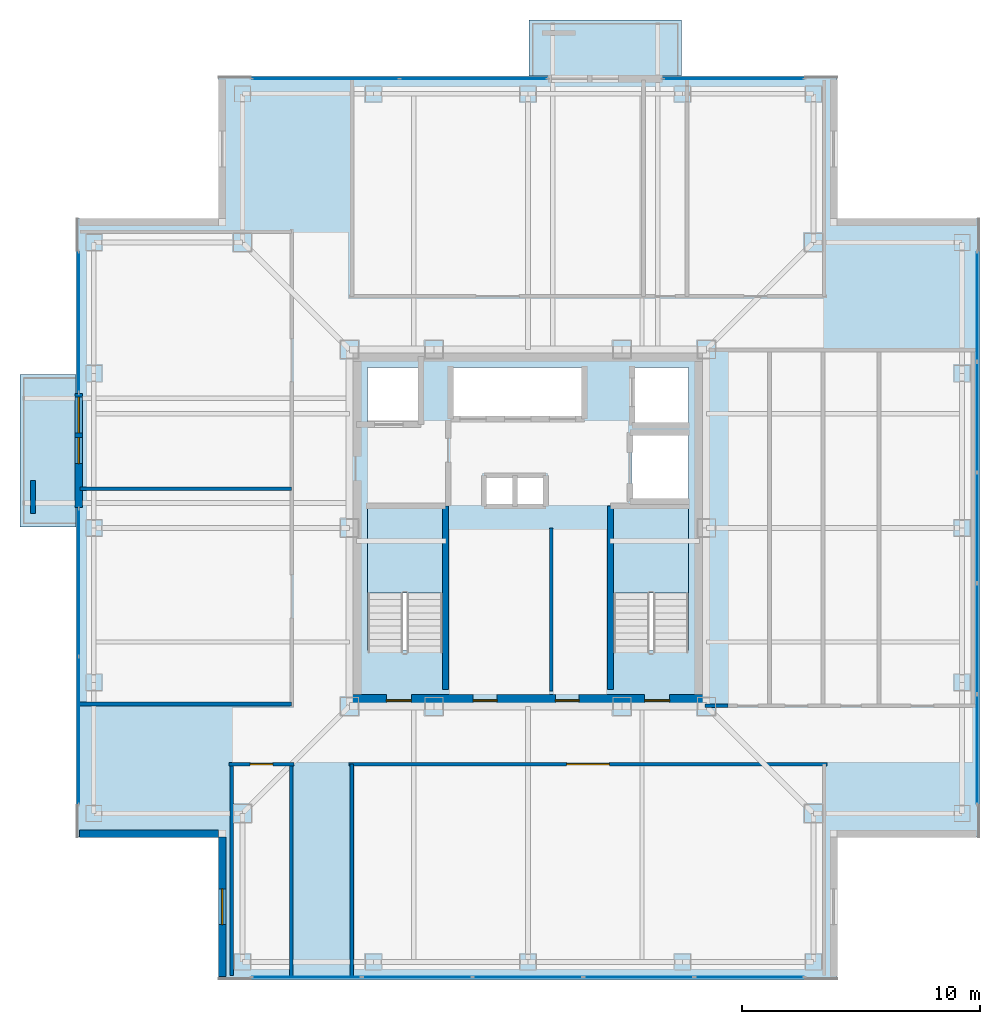
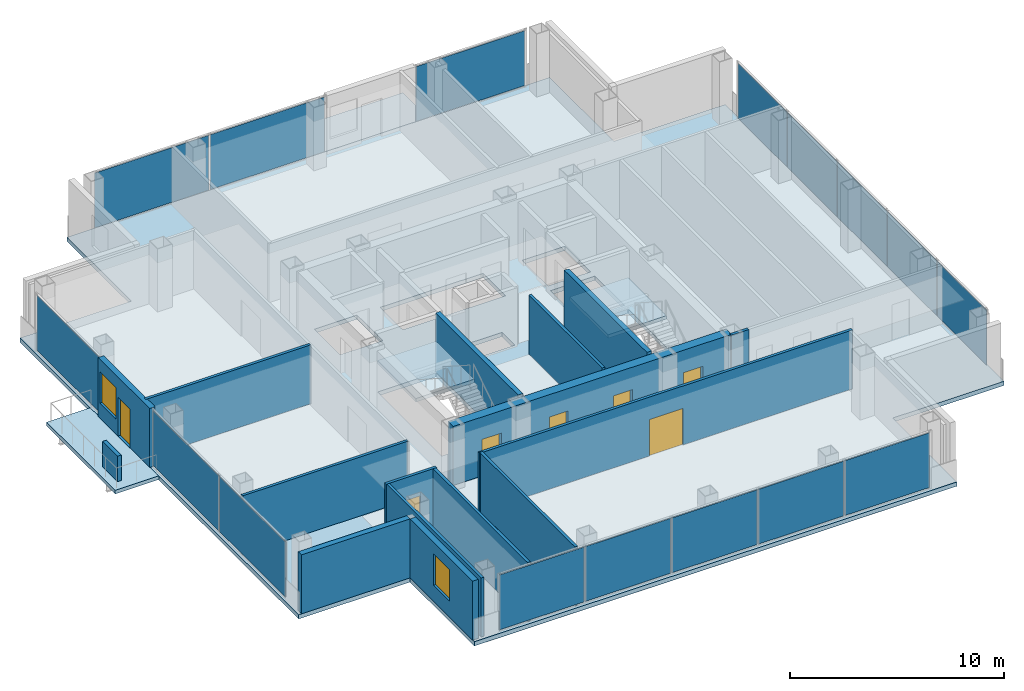
# One storey, part 8 of 13: 16 plates, 16 walls, 7 doors, 5 slabs, 2 windows, 9 openings, 8 elements without a shape of their own.
"""IFC4 building model written with IfcOpenShell, lengths in metres."""

import ifcopenshell
import ifcopenshell.guid

model = None  # the IFC model being written
_history = None  # IfcOwnerHistory: only IFC2X3 demands one
_inside = {}  # id of a spatial element -> (the spatial element, [elements in it])
_under = {}  # id of a project, library or spatial element -> (it, [spatial elements below it])
_declared = {}  # id of a project -> (the project, [libraries it declares])
_typed = {}  # id of a type object -> (the type object, [elements of that type])
_made_of = {}  # id of a material, layer set ... -> (it, [elements and type objects made of it])


def new_model(schema):
    """Start an empty IFC model of exactly this schema.

    Asked for "IFC4X3", IfcOpenShell would pick the latest addendum, in which some entities
    have other attributes; the version numbers below select the first issue.
    IFC2X3 requires an IfcOwnerHistory on every rooted entity: one is made here for all.
    """
    global model, _history
    if schema == "IFC4X3":
        model = ifcopenshell.file(schema_version=(4, 3, 0, 0))
    else:
        model = ifcopenshell.file(schema=schema)
    _inside.clear()
    _under.clear()
    _declared.clear()
    _typed.clear()
    _made_of.clear()
    _history = None
    if model.schema == "IFC2X3":
        org = make("IfcOrganization", Name="unknown")
        user = make(
            "IfcPersonAndOrganization",
            ThePerson=make("IfcPerson", FamilyName="unknown"),
            TheOrganization=org,
        )
        app = make(
            "IfcApplication",
            ApplicationDeveloper=org,
            Version="unknown",
            ApplicationFullName="unknown",
            ApplicationIdentifier="unknown",
        )
        _history = make(
            "IfcOwnerHistory",
            OwningUser=user,
            OwningApplication=app,
            ChangeAction="ADDED",
            CreationDate=0,
        )
    return model


def make(cls, **values):
    """One entity of the class cls with the attributes given. An attribute that is None is left unset."""
    return model.create_entity(
        cls, **{name: value for name, value in values.items() if value is not None}
    )


def rooted(cls, **values):
    """An entity with a GlobalId (a new one), such as an element, a storey or a relation."""
    return make(cls, GlobalId=ifcopenshell.guid.new(), OwnerHistory=_history, **values)


def si_unit(unit_type, name, prefix=None):
    """IfcSIUnit, for example si_unit("LENGTHUNIT", "METRE", prefix="MILLI")."""
    return make("IfcSIUnit", UnitType=unit_type, Prefix=prefix, Name=name)


def assignment(units):
    """IfcUnitAssignment: the units of a project."""
    return None if units is None else make("IfcUnitAssignment", Units=units)


def point(xyz):
    """IfcCartesianPoint."""
    return None if xyz is None else make("IfcCartesianPoint", Coordinates=xyz)


def direction(xyz):
    """IfcDirection."""
    return None if xyz is None else make("IfcDirection", DirectionRatios=xyz)


def frame(location, z_axis=None, x_axis=None):
    """IfcAxis2Placement3D, a coordinate frame: its origin and axes. An axis left out is left unset."""
    return make(
        "IfcAxis2Placement3D",
        Location=point(location),
        Axis=direction(z_axis),
        RefDirection=direction(x_axis),
    )


def frame_2d(location, x_axis=None):
    """IfcAxis2Placement2D, a coordinate frame in the plane: its origin and x axis."""
    return make(
        "IfcAxis2Placement2D", Location=point(location), RefDirection=direction(x_axis)
    )


def origin():
    """The frame at (0, 0, 0) with its axes left unset."""
    return frame((0.0, 0.0, 0.0))


def origin_2d():
    """The frame at (0, 0) in the plane with its x axis left unset."""
    return frame_2d((0.0, 0.0))


def place(relative_to, where):
    """IfcLocalPlacement: puts the frame where relative to a parent placement (None: the world)."""
    return make(
        "IfcLocalPlacement", PlacementRelTo=relative_to, RelativePlacement=where
    )


def context(
    kind, dimensions, precision=None, world=None, true_north=None, identifier=None
):
    """IfcGeometricRepresentationContext, for example the 3D "Model" context."""
    return make(
        "IfcGeometricRepresentationContext",
        ContextIdentifier=identifier,
        ContextType=kind,
        CoordinateSpaceDimension=dimensions,
        Precision=precision,
        WorldCoordinateSystem=world,
        TrueNorth=true_north,
    )


def subcontext(parent, identifier, kind, view, scale=None):
    """IfcGeometricRepresentationSubContext, for example "Body" below "Model"."""
    return make(
        "IfcGeometricRepresentationSubContext",
        ContextIdentifier=identifier,
        ContextType=kind,
        ParentContext=parent,
        TargetScale=scale,
        TargetView=view,
    )


def project(units=None, contexts=None):
    """IfcProject with its units and contexts."""
    return rooted(
        "IfcProject",
        Name="project",
        RepresentationContexts=contexts,
        UnitsInContext=assignment(units),
    )


def spatial(cls, under=None, at=None, **own):
    """A site, building, storey or space (cls), placed at a placement, below another one or the project."""
    s = rooted(cls, ObjectPlacement=at, **own)
    if under is not None:
        _under.setdefault(under.id(), (under, []))[1].append(s)
    return s


def polyline(points):
    """IfcPolyline through the points."""
    return make("IfcPolyline", Points=[point(p) for p in points])


def profile(cls, at=None, kind="AREA", **sizes):
    """A parametric profile (cls). Its sizes go by their IFC names, for example OverallWidth=200.0."""
    return make(cls, ProfileType=kind, Position=at, **sizes)


def rectangle(**sizes):
    """IfcRectangleProfileDef."""
    return profile("IfcRectangleProfileDef", **sizes)


def outline(outer, holes=None, kind="AREA"):
    """IfcArbitraryClosedProfileDef: a profile drawn as a closed curve; with holes, ...WithVoids."""
    if holes is None:
        return make("IfcArbitraryClosedProfileDef", ProfileType=kind, OuterCurve=outer)
    return make(
        "IfcArbitraryProfileDefWithVoids",
        ProfileType=kind,
        OuterCurve=outer,
        InnerCurves=holes,
    )


def extrude(swept, where, along, depth):
    """IfcExtrudedAreaSolid: the profile swept, set in the frame where, extruded along a direction by depth."""
    return make(
        "IfcExtrudedAreaSolid",
        SweptArea=swept,
        Position=where,
        ExtrudedDirection=direction(along),
        Depth=depth,
    )


def shape(context_of_items, identifier, shape_type, items):
    """IfcShapeRepresentation: the items that make up one representation, for example the "Body"."""
    return make(
        "IfcShapeRepresentation",
        ContextOfItems=context_of_items,
        RepresentationIdentifier=identifier,
        RepresentationType=shape_type,
        Items=items,
    )


def material(Name=None, Category=None):
    """IfcMaterial."""
    return make("IfcMaterial", Name=Name, Category=Category)


def layer(
    of_material, thickness, ventilated=None, Name=None, Category=None, Priority=None
):
    """IfcMaterialLayer: one layer of a wall or slab, of a material (None: an air gap)."""
    return make(
        "IfcMaterialLayer",
        Material=of_material,
        LayerThickness=thickness,
        IsVentilated=ventilated,
        Name=Name,
        Category=Category,
        Priority=Priority,
    )


def layer_set(layers, Name=None):
    """IfcMaterialLayerSet."""
    return make("IfcMaterialLayerSet", MaterialLayers=layers, LayerSetName=Name)


def made_of(thing, what):
    """Note that an element or type object is made of a material, layer set ...; save() writes the relation."""
    if what is not None:
        _made_of.setdefault(what.id(), (what, []))[1].append(thing)
    return thing


def type_object(cls, material=None, **own):
    """A type object (cls), such as IfcWallType, which elements share."""
    return made_of(rooted(cls, **own), material)


def element(
    cls,
    number,
    at=None,
    inside=None,
    cuts=None,
    type_object=None,
    material=None,
    context=None,
    identifier="Body",
    shape_type=None,
    held_by="IfcProductDefinitionShape",
    body=None,
    shapes=None,
    **own,
):
    """One element of the class cls, such as IfcWall. Its Tag is "e" and its number.

    at: its placement. inside: the storey or other place that contains it. cuts: it is an
    opening in that element (IfcRelVoidsElement). A single representation is given by context,
    identifier, shape_type and body (its items); several are given by shapes. held_by: the class
    of the entity that holds the representations. save() writes the other relations.
    """
    e = rooted(cls, Tag="e%d" % number, ObjectPlacement=at, **own)
    if body is not None:
        shapes = [shape(context, identifier, shape_type, body)]
    if shapes is not None:
        e.Representation = make(held_by, Representations=shapes)
    if inside is not None:
        _inside.setdefault(inside.id(), (inside, []))[1].append(e)
    if cuts is not None:
        rooted(
            "IfcRelVoidsElement", RelatingBuildingElement=cuts, RelatedOpeningElement=e
        )
    if type_object is not None:
        _typed.setdefault(type_object.id(), (type_object, []))[1].append(e)
    return made_of(e, material)


def fill(opening, filler):
    """IfcRelFillsElement: the door or window that sits in an opening."""
    return rooted(
        "IfcRelFillsElement",
        RelatingOpeningElement=opening,
        RelatedBuildingElement=filler,
    )


def aggregate(whole, parts):
    """IfcRelAggregates: a whole, such as a stair, and the parts it consists of."""
    return rooted("IfcRelAggregates", RelatingObject=whole, RelatedObjects=parts)


def save(model, path):
    """Write the relations noted so far, then the file.

    IfcRelAggregates (storeys below a building ...), IfcRelContainedInSpatialStructure (elements
    in a storey), IfcRelDefinesByType, IfcRelAssociatesMaterial and IfcRelDeclares: one each for
    every whole, place, type object, material and project.
    """
    for whole, parts in _under.values():
        aggregate(whole, parts)
    for where, things in _inside.values():
        rooted(
            "IfcRelContainedInSpatialStructure",
            RelatedElements=things,
            RelatingStructure=where,
        )
    for kind, things in _typed.values():
        rooted("IfcRelDefinesByType", RelatedObjects=things, RelatingType=kind)
    for what, things in _made_of.values():
        rooted("IfcRelAssociatesMaterial", RelatedObjects=things, RelatingMaterial=what)
    for by, libraries in _declared.values():
        rooted("IfcRelDeclares", RelatingContext=by, RelatedDefinitions=libraries)
    model.write(path)


model = new_model("IFC4")

# Units and contexts
model_context = context("Model", 3, precision=1e-05, world=origin(), true_north=direction((0.0, 1.0)))
body_context = subcontext(model_context, "Body", "Model", "MODEL_VIEW")
ifc_project = project(units=[si_unit("LENGTHUNIT", "METRE"), si_unit("AREAUNIT", "SQUARE_METRE"), si_unit("VOLUMEUNIT", "CUBIC_METRE"), si_unit("PLANEANGLEUNIT", "RADIAN"), si_unit("MASSUNIT", "GRAM", prefix="KILO")], contexts=[model_context])

# Site, building, storey
site_placement = place(None, origin())
site = spatial("IfcSite", under=ifc_project, at=site_placement, CompositionType="ELEMENT")
building_placement = place(site_placement, origin())
building = spatial("IfcBuilding", under=site, at=building_placement, Name="Trevonay Congress Spire", CompositionType="ELEMENT")
storey_placement = place(building_placement, frame((0.0, 0.0, 254.0)))
storey = spatial("IfcBuildingStorey", under=building, at=storey_placement, Name="L66", CompositionType="ELEMENT", Elevation=254.0)

# Curtain wall, plates
ifc_material_1 = material(Name="Pale Anodised Aluminium EN AW-6063-T6", Category="aluminium")
ifc_layer_1 = layer(ifc_material_1, 0.1650390625, Name="Pale Anodised Aluminium EN AW-6063-T6")
ifc_layer_set_1 = layer_set([ifc_layer_1], Name="Pale Anodised Aluminium EN AW-6063-T6")
curtain_wall_type = type_object("IfcCurtainWallType", Name="CW-SYS05-DIPLOM-PALE-METAL", PredefinedType="NOTDEFINED", material=ifc_layer_set_1)
curtain_wall_1_placement = place(storey_placement, origin())
curtain_wall_1 = element("IfcCurtainWall", 1, at=curtain_wall_1_placement, inside=storey, type_object=curtain_wall_type, Name="L66 S unitised curtain wall", PredefinedType="NOTDEFINED")
ifc_material_2 = material(Name="Insulated Low-E Vision Glass IGU", Category="glass")
ifc_layer_2 = layer(ifc_material_2, 0.035888671875, Name="Insulated Low-E Vision Glass IGU")
ifc_layer_set_2 = layer_set([ifc_layer_2], Name="Insulated Low-E Vision Glass IGU")
plate_type = type_object("IfcPlateType", Name="CW-PANEL-IGU36-SILVER", PredefinedType="CURTAIN_PANEL", material=ifc_layer_set_2)
plate_1_placement = place(storey_placement, frame((-9.304931640625, -18.8798828125, 0.119873046875), z_axis=(0.0, 0.0, 1.0), x_axis=(1.0, 0.0, 0.0)))
plate_1 = element("IfcPlate", 2, at=plate_1_placement, type_object=plate_type, Name="CW05 panel 1.1", PredefinedType="CURTAIN_PANEL", context=body_context, shape_type="SweptSolid", body=[
    extrude(rectangle(XDim=4.570068359375, YDim=0.035888671875, at=origin_2d()), origin(), (0.0, 0.0, 1.0), 3.1201171875),
])
plate_2_placement = place(storey_placement, frame((-4.659912109375, -18.8798828125, 0.119873046875), z_axis=(0.0, 0.0, 1.0), x_axis=(1.0, 0.0, 0.0)))
plate_2 = element("IfcPlate", 3, at=plate_2_placement, type_object=plate_type, Name="CW05 panel 2.1", PredefinedType="CURTAIN_PANEL", context=body_context, shape_type="SweptSolid", body=[
    extrude(rectangle(XDim=4.60009765625, YDim=0.035888671875, at=origin_2d()), origin(), (0.0, 0.0, 1.0), 3.1201171875),
])
plate_3_placement = place(storey_placement, frame((0.0, -18.8798828125, 0.119873046875), z_axis=(0.0, 0.0, 1.0), x_axis=(1.0, 0.0, 0.0)))
plate_3 = element("IfcPlate", 4, at=plate_3_placement, type_object=plate_type, Name="CW05 panel 3.1", PredefinedType="CURTAIN_PANEL", context=body_context, shape_type="SweptSolid", body=[
    extrude(rectangle(XDim=4.60009765625, YDim=0.035888671875, at=origin_2d()), origin(), (0.0, 0.0, 1.0), 3.1201171875),
])
plate_4_placement = place(storey_placement, frame((4.659912109375, -18.8798828125, 0.119873046875), z_axis=(0.0, 0.0, 1.0), x_axis=(1.0, 0.0, 0.0)))
plate_4 = element("IfcPlate", 5, at=plate_4_placement, type_object=plate_type, Name="CW05 panel 4.1", PredefinedType="CURTAIN_PANEL", context=body_context, shape_type="SweptSolid", body=[
    extrude(rectangle(XDim=4.60009765625, YDim=0.035888671875, at=origin_2d()), origin(), (0.0, 0.0, 1.0), 3.1201171875),
])
plate_5_placement = place(storey_placement, frame((9.304931640625, -18.8798828125, 0.119873046875), z_axis=(0.0, 0.0, 1.0), x_axis=(1.0, 0.0, 0.0)))
plate_5 = element("IfcPlate", 6, at=plate_5_placement, type_object=plate_type, Name="CW05 panel 5.1", PredefinedType="CURTAIN_PANEL", context=body_context, shape_type="SweptSolid", body=[
    extrude(rectangle(XDim=4.570068359375, YDim=0.035888671875, at=origin_2d()), origin(), (0.0, 0.0, 1.0), 3.1201171875),
])
aggregate(curtain_wall_1, [plate_1, plate_2, plate_3, plate_4, plate_5])

curtain_wall_2_placement = place(storey_placement, origin())
curtain_wall_2 = element("IfcCurtainWall", 7, at=curtain_wall_2_placement, inside=storey, type_object=curtain_wall_type, Name="L66 NA unitised curtain wall", PredefinedType="NOTDEFINED")
plate_6_placement = place(storey_placement, frame((-8.510009765625, 18.8798828125, 0.119873046875), z_axis=(0.0, 0.0, 1.0), x_axis=(1.0, 0.0, 0.0)))
plate_6 = element("IfcPlate", 8, at=plate_6_placement, type_object=plate_type, Name="CW05 panel 1.1", PredefinedType="CURTAIN_PANEL", context=body_context, shape_type="SweptSolid", body=[
    extrude(rectangle(XDim=6.159912109375, YDim=0.035888671875, at=origin_2d()), origin(), (0.0, 0.0, 1.0), 3.1201171875),
])
plate_7_placement = place(storey_placement, frame((-2.2900390625, 18.8798828125, 0.119873046875), z_axis=(0.0, 0.0, 1.0), x_axis=(1.0, 0.0, 0.0)))
plate_7 = element("IfcPlate", 9, at=plate_7_placement, type_object=plate_type, Name="CW05 panel 2.1", PredefinedType="CURTAIN_PANEL", context=body_context, shape_type="SweptSolid", body=[
    extrude(rectangle(XDim=6.159912109375, YDim=0.035888671875, at=origin_2d()), origin(), (0.0, 0.0, 1.0), 3.1201171875),
])
aggregate(curtain_wall_2, [plate_6, plate_7])

# Curtain wall, plate
curtain_wall_3_placement = place(storey_placement, origin())
curtain_wall_3 = element("IfcCurtainWall", 10, at=curtain_wall_3_placement, inside=storey, type_object=curtain_wall_type, Name="L66 NB unitised curtain wall", PredefinedType="NOTDEFINED")
plate_8_placement = place(storey_placement, frame((8.64990234375, 18.8798828125, 0.119873046875), z_axis=(0.0, 0.0, 1.0), x_axis=(1.0, 0.0, 0.0)))
plate_8 = element("IfcPlate", 11, at=plate_8_placement, type_object=plate_type, Name="CW05 panel 1.1", PredefinedType="CURTAIN_PANEL", context=body_context, shape_type="SweptSolid", body=[
    extrude(rectangle(XDim=5.8798828125, YDim=0.035888671875, at=origin_2d()), origin(), (0.0, 0.0, 1.0), 3.1201171875),
])
aggregate(curtain_wall_3, [plate_8])

# Curtain wall, plates
curtain_wall_4_placement = place(storey_placement, origin())
curtain_wall_4 = element("IfcCurtainWall", 12, at=curtain_wall_4_placement, inside=storey, type_object=curtain_wall_type, Name="L66 WA unitised curtain wall", PredefinedType="NOTDEFINED")
plate_9_placement = place(storey_placement, frame((-18.8798828125, -8.510009765625, 0.119873046875), z_axis=(0.0, 0.0, 1.0), x_axis=(0.0, 1.0, 0.0)))
plate_9 = element("IfcPlate", 13, at=plate_9_placement, type_object=plate_type, Name="CW05 panel 1.1", PredefinedType="CURTAIN_PANEL", context=body_context, shape_type="SweptSolid", body=[
    extrude(rectangle(XDim=6.159912109375, YDim=0.035888671875, at=origin_2d()), origin(), (0.0, 0.0, 1.0), 3.1201171875),
])
plate_10_placement = place(storey_placement, frame((-18.8798828125, -2.2900390625, 0.119873046875), z_axis=(0.0, 0.0, 1.0), x_axis=(0.0, 1.0, 0.0)))
plate_10 = element("IfcPlate", 14, at=plate_10_placement, type_object=plate_type, Name="CW05 panel 2.1", PredefinedType="CURTAIN_PANEL", context=body_context, shape_type="SweptSolid", body=[
    extrude(rectangle(XDim=6.159912109375, YDim=0.035888671875, at=origin_2d()), origin(), (0.0, 0.0, 1.0), 3.1201171875),
])
aggregate(curtain_wall_4, [plate_9, plate_10])

# Curtain wall, plate
curtain_wall_5_placement = place(storey_placement, origin())
curtain_wall_5 = element("IfcCurtainWall", 15, at=curtain_wall_5_placement, inside=storey, type_object=curtain_wall_type, Name="L66 WB unitised curtain wall", PredefinedType="NOTDEFINED")
plate_11_placement = place(storey_placement, frame((-18.8798828125, 8.64990234375, 0.119873046875), z_axis=(0.0, 0.0, 1.0), x_axis=(0.0, 1.0, 0.0)))
plate_11 = element("IfcPlate", 16, at=plate_11_placement, type_object=plate_type, Name="CW05 panel 1.1", PredefinedType="CURTAIN_PANEL", context=body_context, shape_type="SweptSolid", body=[
    extrude(rectangle(XDim=5.8798828125, YDim=0.035888671875, at=origin_2d()), origin(), (0.0, 0.0, 1.0), 3.1201171875),
])
aggregate(curtain_wall_5, [plate_11])

# Curtain wall, plates
curtain_wall_6_placement = place(storey_placement, origin())
curtain_wall_6 = element("IfcCurtainWall", 17, at=curtain_wall_6_placement, inside=storey, type_object=curtain_wall_type, Name="L66 E unitised curtain wall", PredefinedType="NOTDEFINED")
plate_12_placement = place(storey_placement, frame((18.8798828125, -9.304931640625, 0.119873046875), z_axis=(0.0, 0.0, 1.0), x_axis=(0.0, 1.0, 0.0)))
plate_12 = element("IfcPlate", 18, at=plate_12_placement, type_object=plate_type, Name="CW05 panel 1.1", PredefinedType="CURTAIN_PANEL", context=body_context, shape_type="SweptSolid", body=[
    extrude(rectangle(XDim=4.570068359375, YDim=0.035888671875, at=origin_2d()), origin(), (0.0, 0.0, 1.0), 3.1201171875),
])
plate_13_placement = place(storey_placement, frame((18.8798828125, -4.659912109375, 0.119873046875), z_axis=(0.0, 0.0, 1.0), x_axis=(0.0, 1.0, 0.0)))
plate_13 = element("IfcPlate", 19, at=plate_13_placement, type_object=plate_type, Name="CW05 panel 2.1", PredefinedType="CURTAIN_PANEL", context=body_context, shape_type="SweptSolid", body=[
    extrude(rectangle(XDim=4.60009765625, YDim=0.035888671875, at=origin_2d()), origin(), (0.0, 0.0, 1.0), 3.1201171875),
])
plate_14_placement = place(storey_placement, frame((18.8798828125, 0.0, 0.119873046875), z_axis=(0.0, 0.0, 1.0), x_axis=(0.0, 1.0, 0.0)))
plate_14 = element("IfcPlate", 20, at=plate_14_placement, type_object=plate_type, Name="CW05 panel 3.1", PredefinedType="CURTAIN_PANEL", context=body_context, shape_type="SweptSolid", body=[
    extrude(rectangle(XDim=4.60009765625, YDim=0.035888671875, at=origin_2d()), origin(), (0.0, 0.0, 1.0), 3.1201171875),
])
plate_15_placement = place(storey_placement, frame((18.8798828125, 4.659912109375, 0.119873046875), z_axis=(0.0, 0.0, 1.0), x_axis=(0.0, 1.0, 0.0)))
plate_15 = element("IfcPlate", 21, at=plate_15_placement, type_object=plate_type, Name="CW05 panel 4.1", PredefinedType="CURTAIN_PANEL", context=body_context, shape_type="SweptSolid", body=[
    extrude(rectangle(XDim=4.60009765625, YDim=0.035888671875, at=origin_2d()), origin(), (0.0, 0.0, 1.0), 3.1201171875),
])
plate_16_placement = place(storey_placement, frame((18.8798828125, 9.304931640625, 0.119873046875), z_axis=(0.0, 0.0, 1.0), x_axis=(0.0, 1.0, 0.0)))
plate_16 = element("IfcPlate", 22, at=plate_16_placement, type_object=plate_type, Name="CW05 panel 5.1", PredefinedType="CURTAIN_PANEL", context=body_context, shape_type="SweptSolid", body=[
    extrude(rectangle(XDim=4.570068359375, YDim=0.035888671875, at=origin_2d()), origin(), (0.0, 0.0, 1.0), 3.1201171875),
])
aggregate(curtain_wall_6, [plate_12, plate_13, plate_14, plate_15, plate_16])

# Stair, slab
ifc_material_3 = material(Name="Concrete C40/50", Category="concrete")
stair_type_1 = type_object("IfcStairType", Name="STR-ST-1", PredefinedType="HALF_TURN_STAIR", material=ifc_material_3)
stair_1_placement = place(storey_placement, origin())
stair_1 = element("IfcStair", 23, at=stair_1_placement, inside=storey, type_object=stair_type_1, Name="L66 Protected Exit Stair ST-1", PredefinedType="HALF_TURN_STAIR")
ifc_layer_3 = layer(ifc_material_3, 0.199951171875, Name="Concrete C40/50")
ifc_layer_set_3 = layer_set([ifc_layer_3], Name="Concrete C40/50")
slab_type_1 = type_object("IfcSlabType", Name="SLB-STAIR-LAND-200", PredefinedType="LANDING", material=ifc_layer_set_3)
slab_1_placement = place(storey_placement, frame((0.0, 0.0, 1.60009765625)))
slab_1 = element("IfcSlab", 24, at=slab_1_placement, type_object=slab_type_1, Name="ST-1 landing 1", PredefinedType="LANDING", context=body_context, shape_type="SweptSolid", body=[
    extrude(outline(polyline([(-3.60009765625, -2.72998046875), (-3.60009765625, 0.85009765625), (-6.75, 0.85009765625), (-6.75, -2.72998046875), (-3.60009765625, -2.72998046875)])), origin(), (0.0, 0.0, 1.0), 0.199951171875),
])
aggregate(stair_1, [slab_1])

stair_type_2 = type_object("IfcStairType", Name="STR-ST-2", PredefinedType="HALF_TURN_STAIR", material=ifc_material_3)
stair_2_placement = place(storey_placement, origin())
stair_2 = element("IfcStair", 25, at=stair_2_placement, inside=storey, type_object=stair_type_2, Name="L66 Protected Exit Stair ST-2", PredefinedType="HALF_TURN_STAIR")
slab_2_placement = place(storey_placement, frame((0.0, 0.0, 1.60009765625)))
slab_2 = element("IfcSlab", 26, at=slab_2_placement, type_object=slab_type_1, Name="ST-2 landing 1", PredefinedType="LANDING", context=body_context, shape_type="SweptSolid", body=[
    extrude(outline(polyline([(6.75, -2.72998046875), (6.75, 0.85009765625), (3.60009765625, 0.85009765625), (3.60009765625, -2.72998046875), (6.75, -2.72998046875)])), origin(), (0.0, 0.0, 1.0), 0.199951171875),
])
aggregate(stair_2, [slab_2])

# Slabs
ifc_layer_4 = layer(ifc_material_3, 0.239990234375, Name="Concrete C40/50")
ifc_layer_set_4 = layer_set([ifc_layer_4], Name="Concrete C40/50")
slab_type_2 = type_object("IfcSlabType", Name="SLB-TOW2-240", PredefinedType="FLOOR", material=ifc_layer_set_4)
slab_3_placement = place(storey_placement, frame((0.0, 0.0, -0.239990234375)))
element("IfcSlab", 27, at=slab_3_placement, inside=storey, type_object=slab_type_2, Name="L66 structural floor slab", PredefinedType="FLOOR", context=body_context, shape_type="SweptSolid", body=[
    extrude(outline(polyline([(-13.0, -19.0), (13.0, -19.0), (13.0, -13.0), (19.0, -13.0), (19.0, 13.0), (13.0, 13.0), (13.0, 19.0), (-13.0, 19.0), (-13.0, 13.0), (-19.0, 13.0), (-19.0, -13.0), (-13.0, -13.0), (-13.0, -19.0)]), holes=[polyline([(-3.60009765625, -5.14990234375), (-3.60009765625, 0.85009765625), (-6.75, 0.85009765625), (-6.75, -5.14990234375), (-3.60009765625, -5.14990234375)]), polyline([(6.75, -5.14990234375), (6.75, 0.85009765625), (3.60009765625, 0.85009765625), (3.60009765625, -5.14990234375), (6.75, -5.14990234375)]), polyline([(-3.199951171875, 4.64990234375), (2.340087890625, 4.64990234375), (2.340087890625, 6.75), (-3.199951171875, 6.75), (-3.199951171875, 4.64990234375)]), polyline([(-6.75, 4.35009765625), (-4.449951171875, 4.35009765625), (-4.449951171875, 6.75), (-6.75, 6.75), (-6.75, 4.35009765625)]), polyline([(4.449951171875, 4.35009765625), (6.75, 4.35009765625), (6.75, 6.75), (4.449951171875, 6.75), (4.449951171875, 4.35009765625)]), polyline([(4.35009765625, 1.199951171875), (6.75, 1.199951171875), (6.75, 3.949951171875), (4.35009765625, 3.949951171875), (4.35009765625, 1.199951171875)]), polyline([(-1.800048828125, 0.949951171875), (0.699951171875, 0.949951171875), (0.699951171875, 2.14990234375), (-1.800048828125, 2.14990234375), (-1.800048828125, 0.949951171875)])]), origin(), (0.0, 0.0, 1.0), 0.239990234375),
])
ifc_layer_5 = layer(ifc_material_3, 0.2099609375, Name="Concrete C40/50")
ifc_layer_set_5 = layer_set([ifc_layer_5], Name="Concrete C40/50")
slab_type_3 = type_object("IfcSlabType", Name="SLB-TREEBAL-210", PredefinedType="FLOOR", material=ifc_layer_set_5)
slab_4_placement = place(storey_placement, frame((0.0, 0.0, -0.2099609375)))
element("IfcSlab", 28, at=slab_4_placement, inside=storey, type_object=slab_type_3, Name="L66 cantilevered tree-planter balcony pod N", PredefinedType="FLOOR", context=body_context, shape_type="SweptSolid", body=[
    extrude(outline(polyline([(0.050048828125, 19.0), (6.449951171875, 19.0), (6.449951171875, 21.35009765625), (0.050048828125, 21.35009765625), (0.050048828125, 19.0)])), origin(), (0.0, 0.0, 1.0), 0.2099609375),
])
slab_5_placement = place(storey_placement, frame((0.0, 0.0, -0.2099609375)))
element("IfcSlab", 29, at=slab_5_placement, inside=storey, type_object=slab_type_3, Name="L66 cantilevered tree-planter balcony pod W", PredefinedType="FLOOR", context=body_context, shape_type="SweptSolid", body=[
    extrude(outline(polyline([(-21.35009765625, 0.050048828125), (-19.0, 0.050048828125), (-19.0, 6.449951171875), (-21.35009765625, 6.449951171875), (-21.35009765625, 0.050048828125)])), origin(), (0.0, 0.0, 1.0), 0.2099609375),
])

# Wall, openings, doors
ifc_material_4 = material(Name="Concrete C50/60", Category="concrete")
ifc_layer_6 = layer(ifc_material_4, 0.5, Name="Concrete C50/60")
ifc_layer_set_6 = layer_set([ifc_layer_6], Name="Concrete C50/60")
wall_type_1 = type_object("IfcWallType", Name="WAL-CORE-500", PredefinedType="SHEAR", material=ifc_layer_set_6)
wall_1_placement = place(storey_placement, frame((-7.5, -7.25, 0.0), z_axis=(0.0, 0.0, 1.0), x_axis=(1.0, 0.0, 0.0)))
wall_1 = element("IfcWall", 30, at=wall_1_placement, inside=storey, type_object=wall_type_1, Name="L66 South structural core shear wall", PredefinedType="SHEAR", context=body_context, shape_type="SweptSolid", body=[
    extrude(rectangle(XDim=15.0, YDim=0.5, at=frame_2d((7.5, 0.0))), origin(), (0.0, 0.0, 1.0), 3.360107421875),
])
opening_1_placement = place(wall_1_placement, frame((1.550048828125, 0.0, 0.0)))
opening_1 = element("IfcOpeningElement", 31, at=opening_1_placement, cuts=wall_1, Name="Opening D05", PredefinedType="OPENING", context=body_context, shape_type="SweptSolid", body=[
    extrude(rectangle(XDim=1.050048828125, YDim=2.080078125, at=frame_2d((0.52490234375, 1.0400390625))), frame((0.0, 0.260009765625, 0.0), z_axis=(0.0, -1.0, 0.0), x_axis=(1.0, 0.0, 0.0)), (0.0, 0.0, 1.0), 0.52001953125),
])
opening_2_placement = place(wall_1_placement, frame((12.39990234375, 0.0, 0.0)))
opening_2 = element("IfcOpeningElement", 32, at=opening_2_placement, cuts=wall_1, Name="Opening D05", PredefinedType="OPENING", context=body_context, shape_type="SweptSolid", body=[
    extrude(rectangle(XDim=1.050048828125, YDim=2.080078125, at=frame_2d((0.52490234375, 1.0400390625))), frame((0.0, 0.260009765625, 0.0), z_axis=(0.0, -1.0, 0.0), x_axis=(1.0, 0.0, 0.0)), (0.0, 0.0, 1.0), 0.52001953125),
])
opening_3_placement = place(wall_1_placement, frame((5.199951171875, 0.0, 0.0)))
opening_3 = element("IfcOpeningElement", 33, at=opening_3_placement, cuts=wall_1, Name="Opening D06", PredefinedType="OPENING", context=body_context, shape_type="SweptSolid", body=[
    extrude(rectangle(XDim=1.0, YDim=2.080078125, at=frame_2d((0.5, 1.0400390625))), frame((0.0, 0.260009765625, 0.0), z_axis=(0.0, -1.0, 0.0), x_axis=(1.0, 0.0, 0.0)), (0.0, 0.0, 1.0), 0.52001953125),
])
opening_4_placement = place(wall_1_placement, frame((8.64990234375, 0.0, 0.0)))
opening_4 = element("IfcOpeningElement", 34, at=opening_4_placement, cuts=wall_1, Name="Opening D06", PredefinedType="OPENING", context=body_context, shape_type="SweptSolid", body=[
    extrude(rectangle(XDim=1.0, YDim=2.080078125, at=frame_2d((0.5, 1.0400390625))), frame((0.0, 0.260009765625, 0.0), z_axis=(0.0, -1.0, 0.0), x_axis=(1.0, 0.0, 0.0)), (0.0, 0.0, 1.0), 0.52001953125),
])
ifc_material_5 = material(Name="Steel ASTM A572 Grade 50", Category="steel")
door_type_1 = type_object("IfcDoorType", Name="DOR-FIRE-100", OperationType="NOTDEFINED", PredefinedType="DOOR", material=ifc_material_5)
door_1_placement = place(opening_3_placement, origin())
door_1 = element("IfcDoor", 35, at=door_1_placement, inside=storey, type_object=door_type_1, Name="L66 South Core Room 1 Door", OperationType="SINGLE_SWING_RIGHT", OverallHeight=2.080078125, OverallWidth=1.0, PredefinedType="DOOR", context=body_context, shape_type="SweptSolid", body=[
    extrude(rectangle(XDim=1.0, YDim=2.080078125, at=frame_2d((0.5, 1.0400390625))), frame((0.0, 0.02490234375, 0.0), z_axis=(0.0, -1.0, 0.0), x_axis=(1.0, 0.0, 0.0)), (0.0, 0.0, 1.0), 0.050048828125),
])
fill(opening_3, door_1)
door_2_placement = place(opening_4_placement, origin())
door_2 = element("IfcDoor", 36, at=door_2_placement, inside=storey, type_object=door_type_1, Name="L66 South Core Room 2 Door", OperationType="SINGLE_SWING_LEFT", OverallHeight=2.080078125, OverallWidth=1.0, PredefinedType="DOOR", context=body_context, shape_type="SweptSolid", body=[
    extrude(rectangle(XDim=1.0, YDim=2.080078125, at=frame_2d((0.5, 1.0400390625))), frame((0.0, 0.02490234375, 0.0), z_axis=(0.0, -1.0, 0.0), x_axis=(1.0, 0.0, 0.0)), (0.0, 0.0, 1.0), 0.050048828125),
])
fill(opening_4, door_2)
door_type_2 = type_object("IfcDoorType", Name="DOR-STAIR-110", OperationType="NOTDEFINED", PredefinedType="DOOR", material=ifc_material_5)
door_3_placement = place(opening_1_placement, origin())
door_3 = element("IfcDoor", 37, at=door_3_placement, inside=storey, type_object=door_type_2, Name="L66 Protected Stair ST-1 Door", OperationType="SINGLE_SWING_LEFT", OverallHeight=2.080078125, OverallWidth=1.050048828125, PredefinedType="DOOR", context=body_context, shape_type="SweptSolid", body=[
    extrude(rectangle(XDim=1.050048828125, YDim=2.080078125, at=frame_2d((0.52490234375, 1.0400390625))), frame((0.0, 0.02490234375, 0.0), z_axis=(0.0, -1.0, 0.0), x_axis=(1.0, 0.0, 0.0)), (0.0, 0.0, 1.0), 0.050048828125),
])
fill(opening_1, door_3)
door_4_placement = place(opening_2_placement, origin())
door_4 = element("IfcDoor", 38, at=door_4_placement, inside=storey, type_object=door_type_2, Name="L66 Protected Stair ST-2 Door", OperationType="SINGLE_SWING_RIGHT", OverallHeight=2.080078125, OverallWidth=1.050048828125, PredefinedType="DOOR", context=body_context, shape_type="SweptSolid", body=[
    extrude(rectangle(XDim=1.050048828125, YDim=2.080078125, at=frame_2d((0.52490234375, 1.0400390625))), frame((0.0, 0.02490234375, 0.0), z_axis=(0.0, -1.0, 0.0), x_axis=(1.0, 0.0, 0.0)), (0.0, 0.0, 1.0), 0.050048828125),
])
fill(opening_2, door_4)

# Wall, opening, door
ifc_layer_7 = layer(ifc_material_3, 0.14990234375, Name="Concrete C40/50")
ifc_layer_set_7 = layer_set([ifc_layer_7], Name="Concrete C40/50")
wall_type_2 = type_object("IfcWallType", Name="WAL-CORR-150", PredefinedType="PARTITIONING", material=ifc_layer_set_7)
wall_2_placement = place(storey_placement, frame((-12.570068359375, -9.929931640625, 0.0), z_axis=(0.0, 0.0, 1.0), x_axis=(1.0, 0.0, 0.0)))
wall_2 = element("IfcWall", 39, at=wall_2_placement, inside=storey, type_object=wall_type_2, Name="L66 interior wall WP-L66SW-COR", PredefinedType="PARTITIONING", context=body_context, shape_type="SweptSolid", body=[
    extrude(rectangle(XDim=2.739990234375, YDim=0.14990234375, at=frame_2d((1.3701171875, 0.0))), origin(), (0.0, 0.0, 1.0), 3.360107421875),
])
opening_5_placement = place(wall_2_placement, frame((0.89501953125, 0.0, 0.0)))
opening_5 = element("IfcOpeningElement", 40, at=opening_5_placement, cuts=wall_2, Name="Opening D07", PredefinedType="OPENING", context=body_context, shape_type="SweptSolid", body=[
    extrude(rectangle(XDim=0.949951171875, YDim=2.06005859375, at=frame_2d((0.47509765625, 1.030029296875))), frame((0.0, 0.0849609375, 0.0), z_axis=(0.0, -1.0, 0.0), x_axis=(1.0, 0.0, 0.0)), (0.0, 0.0, 1.0), 0.169921875),
])
door_type_3 = type_object("IfcDoorType", Name="DOR-OFFICE-95", OperationType="NOTDEFINED", PredefinedType="DOOR", material=ifc_material_1)
door_5_placement = place(opening_5_placement, origin())
door_5 = element("IfcDoor", 41, at=door_5_placement, inside=storey, type_object=door_type_3, Name="L66 Chef Tasting Private Dining Room Door", OperationType="SINGLE_SWING_LEFT", OverallHeight=2.06005859375, OverallWidth=0.949951171875, PredefinedType="DOOR", context=body_context, shape_type="SweptSolid", body=[
    extrude(rectangle(XDim=0.949951171875, YDim=2.06005859375, at=frame_2d((0.47509765625, 1.030029296875))), frame((0.0, 0.02490234375, 0.0), z_axis=(0.0, -1.0, 0.0), x_axis=(1.0, 0.0, 0.0)), (0.0, 0.0, 1.0), 0.050048828125),
])
fill(opening_5, door_5)

wall_3_placement = place(storey_placement, frame((-7.52001953125, -9.929931640625, 0.0), z_axis=(0.0, 0.0, 1.0), x_axis=(1.0, 0.0, 0.0)))
wall_3 = element("IfcWall", 42, at=wall_3_placement, inside=storey, type_object=wall_type_2, Name="L66 interior wall WP-L66SE-COR", PredefinedType="PARTITIONING", context=body_context, shape_type="SweptSolid", body=[
    extrude(rectangle(XDim=20.090087890625, YDim=0.14990234375, at=frame_2d((10.044921875, 0.0))), origin(), (0.0, 0.0, 1.0), 3.360107421875),
])
opening_6_placement = place(wall_3_placement, frame((9.14501953125, 0.0, 0.0)))
opening_6 = element("IfcOpeningElement", 43, at=opening_6_placement, cuts=wall_3, Name="Opening D09", PredefinedType="OPENING", context=body_context, shape_type="SweptSolid", body=[
    extrude(rectangle(XDim=1.800048828125, YDim=2.080078125, at=frame_2d((0.89990234375, 1.0400390625))), frame((0.0, 0.0849609375, 0.0), z_axis=(0.0, -1.0, 0.0), x_axis=(1.0, 0.0, 0.0)), (0.0, 0.0, 1.0), 0.169921875),
])
door_type_4 = type_object("IfcDoorType", Name="DOR-CONF-DBL", OperationType="DOUBLE_DOOR_SINGLE_SWING", PredefinedType="DOOR", material=ifc_material_1)
door_6_placement = place(opening_6_placement, origin())
door_6 = element("IfcDoor", 44, at=door_6_placement, inside=storey, type_object=door_type_4, Name="L66 State Panoramic Fine-Dining Restaurant Door", OperationType="DOUBLE_DOOR_SINGLE_SWING", OverallHeight=2.080078125, OverallWidth=1.800048828125, PredefinedType="DOOR", context=body_context, shape_type="SweptSolid", body=[
    extrude(rectangle(XDim=1.800048828125, YDim=2.080078125, at=frame_2d((0.89990234375, 1.0400390625))), frame((0.0, 0.02490234375, 0.0), z_axis=(0.0, -1.0, 0.0), x_axis=(1.0, 0.0, 0.0)), (0.0, 0.0, 1.0), 0.050048828125),
])
fill(opening_6, door_6)

# Wall
wall_4_placement = place(storey_placement, frame((7.449951171875, -7.47998046875, 0.0), z_axis=(0.0, 0.0, 1.0), x_axis=(1.0, 0.0, 0.0)))
element("IfcWall", 45, at=wall_4_placement, inside=storey, type_object=wall_type_2, Name="L66 interior wall WP-L66E-STUB", PredefinedType="PARTITIONING", context=body_context, shape_type="SweptSolid", body=[
    extrude(rectangle(XDim=0.949951171875, YDim=0.14990234375, at=frame_2d((0.47509765625, 0.0))), origin(), (0.0, 0.0, 1.0), 3.360107421875),
])

# Wall, openings, door, window
ifc_material_6 = material(Name="Precast concrete C40/50", Category="concrete")
ifc_layer_8 = layer(ifc_material_6, 0.300048828125, Name="Precast concrete C40/50")
ifc_layer_set_8 = layer_set([ifc_layer_8], Name="Precast concrete C40/50")
wall_type_3 = type_object("IfcWallType", Name="WAL-EXT-PRECAST-300", PredefinedType="SOLIDWALL", material=ifc_layer_set_8)
wall_5_placement = place(storey_placement, frame((-18.8798828125, 0.85009765625, 0.0), z_axis=(0.0, 0.0, 1.0), x_axis=(0.0, 1.0, 0.0)))
wall_5 = element("IfcWall", 46, at=wall_5_placement, inside=storey, type_object=wall_type_3, Name="L66 W glazed balcony portal exterior wall", PredefinedType="SOLIDWALL", context=body_context, shape_type="SweptSolid", body=[
    extrude(rectangle(XDim=4.7998046875, YDim=0.300048828125, at=frame_2d((2.39990234375, 0.0))), origin(), (0.0, 0.0, 1.0), 3.360107421875),
])
opening_7_placement = place(wall_5_placement, frame((1.85009765625, 0.0, 0.0)))
opening_7 = element("IfcOpeningElement", 47, at=opening_7_placement, cuts=wall_5, Name="Opening D03", PredefinedType="OPENING", context=body_context, shape_type="SweptSolid", body=[
    extrude(rectangle(XDim=1.10009765625, YDim=2.199951171875, at=frame_2d((0.550048828125, 1.10009765625))), frame((0.0, 0.16015625, 0.0), z_axis=(0.0, -1.0, 0.0), x_axis=(1.0, 0.0, 0.0)), (0.0, 0.0, 1.0), 0.320068359375),
])
opening_8_placement = place(wall_5_placement, frame((3.14990234375, 0.0, 0.85009765625)))
opening_8 = element("IfcOpeningElement", 48, at=opening_8_placement, cuts=wall_5, Name="Opening WN03", PredefinedType="OPENING", context=body_context, shape_type="SweptSolid", body=[
    extrude(rectangle(XDim=1.5, YDim=1.800048828125, at=frame_2d((0.75, 0.89990234375))), frame((0.0, 0.16015625, 0.0), z_axis=(0.0, -1.0, 0.0), x_axis=(1.0, 0.0, 0.0)), (0.0, 0.0, 1.0), 0.320068359375),
])
door_type_5 = type_object("IfcDoorType", Name="DOR-EXT-BAL-110", OperationType="NOTDEFINED", PredefinedType="DOOR", material=ifc_material_1)
door_7_placement = place(opening_7_placement, origin())
door_7 = element("IfcDoor", 49, at=door_7_placement, inside=storey, type_object=door_type_5, Name="L66 W glazed outdoor terrace and balcony door", OperationType="SINGLE_SWING_LEFT", OverallHeight=2.199951171875, OverallWidth=1.10009765625, PredefinedType="DOOR", context=body_context, shape_type="SweptSolid", body=[
    extrude(rectangle(XDim=1.10009765625, YDim=2.199951171875, at=frame_2d((0.550048828125, 1.10009765625))), frame((0.0, 0.02490234375, 0.0), z_axis=(0.0, -1.0, 0.0), x_axis=(1.0, 0.0, 0.0)), (0.0, 0.0, 1.0), 0.050048828125),
])
fill(opening_7, door_7)
window_type = type_object("IfcWindowType", Name="WIN-NOTCH-150X180", PartitioningType="SINGLE_PANEL", PredefinedType="WINDOW", material=ifc_material_2)
window_1_placement = place(opening_8_placement, origin())
window_1 = element("IfcWindow", 50, at=window_1_placement, inside=storey, type_object=window_type, Name="L66 W balcony sidelight window R", OverallHeight=1.800048828125, OverallWidth=1.5, PartitioningType="SINGLE_PANEL", PredefinedType="WINDOW", context=body_context, shape_type="SweptSolid", body=[
    extrude(rectangle(XDim=1.5, YDim=1.800048828125, at=frame_2d((0.75, 0.89990234375))), frame((0.0, 0.030029296875, 0.0), z_axis=(0.0, -1.0, 0.0), x_axis=(1.0, 0.0, 0.0)), (0.0, 0.0, 1.0), 0.06005859375),
])
fill(opening_8, window_1)

# Wall, opening, window
wall_6_placement = place(storey_placement, frame((-12.85009765625, -18.85009765625, 0.0), z_axis=(0.0, 0.0, 1.0), x_axis=(0.0, 1.0, 0.0)))
wall_6 = element("IfcWall", 51, at=wall_6_placement, inside=storey, type_object=wall_type_3, Name="L66 SW re-entrant notch exterior wall 1", PredefinedType="SOLIDWALL", context=body_context, shape_type="SweptSolid", body=[
    extrude(rectangle(XDim=5.85009765625, YDim=0.300048828125, at=frame_2d((2.925048828125, 0.0))), origin(), (0.0, 0.0, 1.0), 3.360107421875),
])
opening_9_placement = place(wall_6_placement, frame((2.175048828125, 0.0, 0.89990234375)))
opening_9 = element("IfcOpeningElement", 52, at=opening_9_placement, cuts=wall_6, Name="Opening WN03", PredefinedType="OPENING", context=body_context, shape_type="SweptSolid", body=[
    extrude(rectangle(XDim=1.5, YDim=1.800048828125, at=frame_2d((0.75, 0.89990234375))), frame((0.0, 0.16015625, 0.0), z_axis=(0.0, -1.0, 0.0), x_axis=(1.0, 0.0, 0.0)), (0.0, 0.0, 1.0), 0.320068359375),
])
window_2_placement = place(opening_9_placement, origin())
window_2 = element("IfcWindow", 53, at=window_2_placement, inside=storey, type_object=window_type, Name="L66 SW corner notch window", OverallHeight=1.800048828125, OverallWidth=1.5, PartitioningType="SINGLE_PANEL", PredefinedType="WINDOW", context=body_context, shape_type="SweptSolid", body=[
    extrude(rectangle(XDim=1.5, YDim=1.800048828125, at=frame_2d((0.75, 0.89990234375))), frame((0.0, 0.030029296875, 0.0), z_axis=(0.0, -1.0, 0.0), x_axis=(1.0, 0.0, 0.0)), (0.0, 0.0, 1.0), 0.06005859375),
])
fill(opening_9, window_2)

# Walls
wall_7_placement = place(storey_placement, frame((-18.85009765625, -12.85009765625, 0.0), z_axis=(0.0, 0.0, 1.0), x_axis=(1.0, 0.0, 0.0)))
element("IfcWall", 54, at=wall_7_placement, inside=storey, type_object=wall_type_3, Name="L66 SW re-entrant notch exterior wall 2", PredefinedType="SOLIDWALL", context=body_context, shape_type="SweptSolid", body=[
    extrude(rectangle(XDim=5.85009765625, YDim=0.300048828125, at=frame_2d((2.925048828125, 0.0))), origin(), (0.0, 0.0, 1.0), 3.360107421875),
])
ifc_layer_9 = layer(ifc_material_3, 0.14990234375, Name="Concrete C40/50")
ifc_layer_set_9 = layer_set([ifc_layer_9], Name="Concrete C40/50")
wall_type_4 = type_object("IfcWallType", Name="WAL-PART-150", PredefinedType="PARTITIONING", material=ifc_layer_set_9)
wall_8_placement = place(storey_placement, frame((0.97998046875, -6.85009765625, 0.0), z_axis=(0.0, 0.0, 1.0), x_axis=(0.0, 1.0, 0.0)))
element("IfcWall", 55, at=wall_8_placement, inside=storey, type_object=wall_type_4, Name="L66 interior wall CW-F3-L66", PredefinedType="PARTITIONING", context=body_context, shape_type="SweptSolid", body=[
    extrude(rectangle(XDim=6.85009765625, YDim=0.14990234375, at=frame_2d((3.425048828125, 0.0))), origin(), (0.0, 0.0, 1.0), 3.360107421875),
])
for number, where, z_axis, x_axis, name in (
    (56, (-12.449951171875, -18.820068359375, 0.0), (0.0, 0.0, 1.0), (0.0, 1.0, 0.0), "L66 interior wall WP-L66SW-DIV1"),
    (57, (-9.949951171875, -18.820068359375, 0.0), (0.0, 0.0, 1.0), (0.0, 1.0, 0.0), "L66 interior wall WP-L66SW-DIV2"),
    (58, (-7.39990234375, -18.820068359375, 0.0), (0.0, 0.0, 1.0), (0.0, 1.0, 0.0), "L66 interior wall WP-L66SE-DIV1"),
    (59, (-18.820068359375, -7.39990234375, 0.0), (0.0, 0.0, 1.0), (1.0, 0.0, 0.0), "L66 interior wall WP-L66NW-DIV1"),
    (60, (-18.820068359375, 1.64990234375, 0.0), (0.0, 0.0, 1.0), (1.0, 0.0, 0.0), "L66 interior wall WP-L66NW-DIV2"),
):
    element("IfcWall", number, at=place(storey_placement, frame(where, z_axis=z_axis, x_axis=x_axis)), inside=storey, type_object=wall_type_4, Name=name, PredefinedType="PARTITIONING", context=body_context, shape_type="SweptSolid", body=[
        extrude(rectangle(XDim=8.89013671875, YDim=0.14990234375, at=frame_2d((4.445068359375, 0.0))), origin(), (0.0, 0.0, 1.0), 3.360107421875),
    ])
ifc_layer_10 = layer(ifc_material_3, 0.25, Name="Concrete C40/50")
ifc_layer_set_10 = layer_set([ifc_layer_10], Name="Concrete C40/50")
wall_type_5 = type_object("IfcWallType", Name="WAL-SHAFT-LB-250", PredefinedType="SHEAR", material=ifc_layer_set_10)
for number, where, z_axis, x_axis, name in (
    (61, (-3.469970703125, -6.800048828125, 0.0), (0.0, 0.0, 1.0), (0.0, 1.0, 0.0), "L66 interior shaft wall WSH-L66-ST1-E"),
    (62, (3.469970703125, -6.800048828125, 0.0), (0.0, 0.0, 1.0), (0.0, 1.0, 0.0), "L66 interior shaft wall WSH-L66-ST2-W"),
):
    element("IfcWall", number, at=place(storey_placement, frame(where, z_axis=z_axis, x_axis=x_axis)), inside=storey, type_object=wall_type_5, Name=name, PredefinedType="SHEAR", context=body_context, shape_type="SweptSolid", body=[
        extrude(rectangle(XDim=7.719970703125, YDim=0.25, at=frame_2d((3.85986328125, 0.0))), origin(), (0.0, 0.0, 1.0), 3.360107421875),
    ])
ifc_layer_11 = layer(ifc_material_6, 0.199951171875, Name="Precast concrete C40/50")
ifc_layer_set_11 = layer_set([ifc_layer_11], Name="Precast concrete C40/50")
wall_type_6 = type_object("IfcWallType", Name="WAL-TREE-PLANTER-200", PredefinedType="PARAPET", material=ifc_layer_set_11)
wall_9_placement = place(storey_placement, frame((-20.800048828125, 0.60009765625, 0.0), z_axis=(0.0, 0.0, 1.0), x_axis=(0.0, 1.0, 0.0)))
element("IfcWall", 63, at=wall_9_placement, inside=storey, type_object=wall_type_6, Name="L66 W cantilevered balcony tree planter box", PredefinedType="PARAPET", context=body_context, shape_type="SweptSolid", body=[
    extrude(rectangle(XDim=1.39990234375, YDim=0.199951171875, at=frame_2d((0.699951171875, 0.0))), origin(), (0.0, 0.0, 1.0), 1.449951171875),
])

save(model, "model.ifc")
